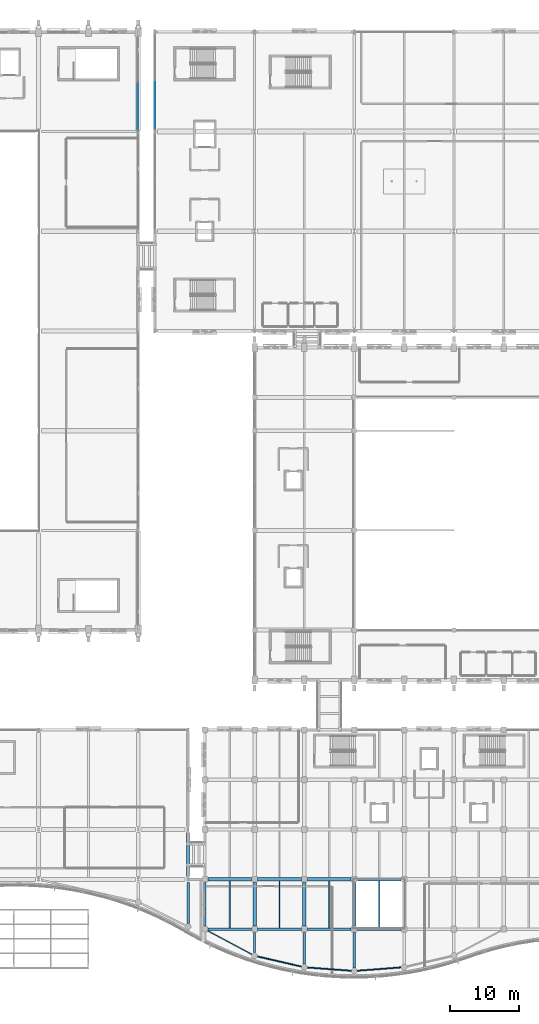
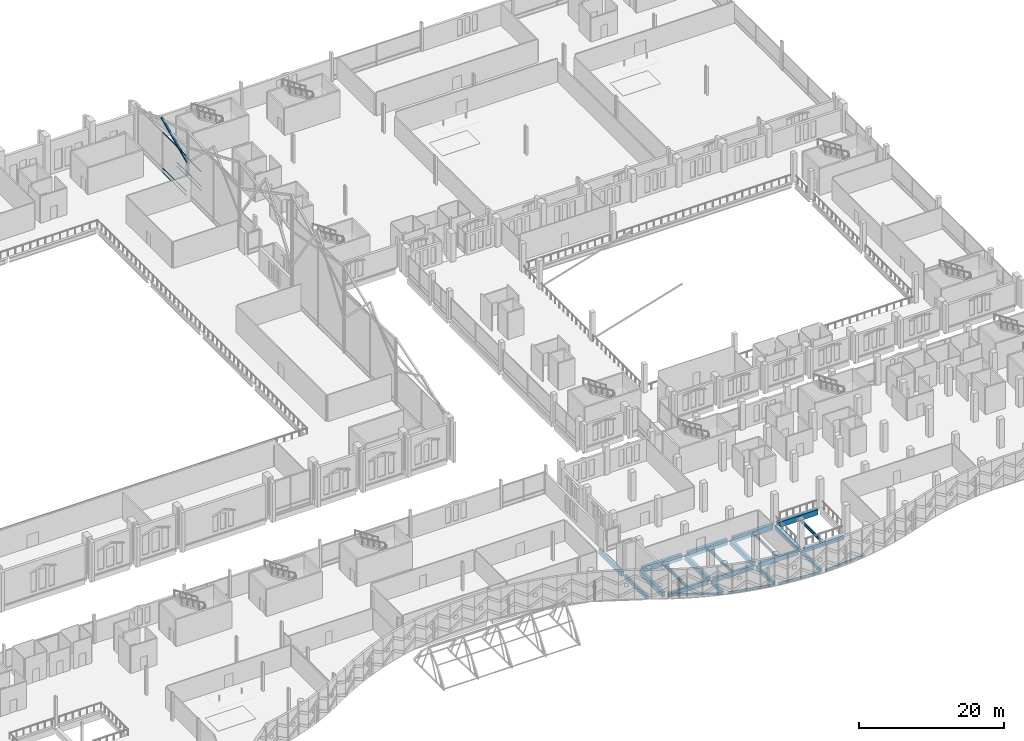
# One storey, part 81 of 220: 25 beams, 7 members, 2 elements without a shape of their own.
"""IFC4 building model written with IfcOpenShell, lengths in metres."""

from ifc_helpers import new_model, si_unit, direction, frame, origin, origin_2d, place, context, subcontext, project, spatial, rectangle, hollow_rectangle, i_section, extrude, material, material_profile, profile_set, type_object, element, aggregate, save


model = new_model("IFC4")

# Units and contexts
model_context = context("Model", 3, precision=1e-05, world=origin(), true_north=direction((0.0, 1.0)))
body_context = subcontext(model_context, "Body", "Model", "MODEL_VIEW")
ifc_project = project(units=[si_unit("LENGTHUNIT", "METRE"), si_unit("AREAUNIT", "SQUARE_METRE"), si_unit("VOLUMEUNIT", "CUBIC_METRE"), si_unit("PLANEANGLEUNIT", "RADIAN"), si_unit("MASSUNIT", "GRAM", prefix="KILO")], contexts=[model_context])

# Site, building, storey
site_placement = place(None, origin())
site = spatial("IfcSite", under=ifc_project, at=site_placement, CompositionType="ELEMENT")
building_placement = place(site_placement, origin())
building = spatial("IfcBuilding", under=site, at=building_placement, Name="Cendralis Lancet Convention Centre", CompositionType="ELEMENT")
storey_placement = place(building_placement, frame((0.0, 0.0, 5.39990234375)))
storey = spatial("IfcBuildingStorey", under=building, at=storey_placement, Name="L01", CompositionType="ELEMENT", Elevation=5.39990234375)

# Curtain wall, members
ifc_material_1 = material(Name="Anodised bronze architectural aluminium", Category="aluminium")
curtain_wall_type_1 = type_object("IfcCurtainWallType", Name="ARC-CW-BL01", PredefinedType="USERDEFINED", material=ifc_material_1)
curtain_wall_1_placement = place(storey_placement, origin())
curtain_wall_1 = element("IfcCurtainWall", 1, at=curtain_wall_1_placement, inside=storey, type_object=curtain_wall_type_1, Name="L01 Curtain Wall CW-BL1 #151", ObjectType="CURTAIN WALL", PredefinedType="USERDEFINED")
ifc_material_profile_1 = material_profile(ifc_material_1, hollow_rectangle(XDim=0.06005859375, YDim=0.1201171875, WallThickness=0.00390625, at=origin_2d()), Name="AL-TRAN 60x120x4.0")
ifc_profile_set_1 = profile_set([ifc_material_profile_1], Name="Anodised bronze architectural aluminium")
member_type_1 = type_object("IfcMemberType", Name="ARC-CW-TR01", PredefinedType="USERDEFINED", material=ifc_profile_set_1)
member_1_placement = place(storey_placement, frame((124.800048828125, 122.794921875, 0.06005859375), z_axis=(0.0, 1.0, 0.0), x_axis=(-1.0, 0.0, 0.0)))
member_1 = element("IfcMember", 2, at=member_1_placement, type_object=member_type_1, Name="Transom CW2-CW-BL1-L01-151-T0BOT", ObjectType="TRANSOM", PredefinedType="USERDEFINED", context=body_context, shape_type="SweptSolid", body=[
    extrude(hollow_rectangle(XDim=0.06005859375, YDim=0.1201171875, WallThickness=0.00390625, at=origin_2d()), origin(), (0.0, 0.0, 1.0), 6.735107421875),
])
member_2_placement = place(storey_placement, frame((124.800048828125, 122.794921875, 0.722900390625), z_axis=(0.0, 1.0, 0.0), x_axis=(-1.0, 0.0, 0.0)))
member_2 = element("IfcMember", 3, at=member_2_placement, type_object=member_type_1, Name="Transom CW2-CW-BL1-L01-151-T0MID", ObjectType="TRANSOM", PredefinedType="USERDEFINED", context=body_context, shape_type="SweptSolid", body=[
    extrude(hollow_rectangle(XDim=0.06005859375, YDim=0.1201171875, WallThickness=0.00390625, at=origin_2d()), origin(), (0.0, 0.0, 1.0), 6.735107421875),
])
member_3_placement = place(storey_placement, frame((124.800048828125, 122.794921875, 3.22509765625), z_axis=(0.0, 1.0, 0.0), x_axis=(-1.0, 0.0, 0.0)))
member_3 = element("IfcMember", 4, at=member_3_placement, type_object=member_type_1, Name="Transom CW2-CW-BL1-L01-151-T0TOP", ObjectType="TRANSOM", PredefinedType="USERDEFINED", context=body_context, shape_type="SweptSolid", body=[
    extrude(hollow_rectangle(XDim=0.06005859375, YDim=0.1201171875, WallThickness=0.00390625, at=origin_2d()), origin(), (0.0, 0.0, 1.0), 6.735107421875),
])
aggregate(curtain_wall_1, [member_1, member_2, member_3])

curtain_wall_type_2 = type_object("IfcCurtainWallType", Name="ARC-CW-GB02", PredefinedType="USERDEFINED", material=ifc_material_1)
curtain_wall_2_placement = place(storey_placement, origin())
curtain_wall_2 = element("IfcCurtainWall", 5, at=curtain_wall_2_placement, inside=storey, type_object=curtain_wall_type_2, Name="L01 Curtain Wall CW-GB2 #109", ObjectType="CURTAIN WALL", PredefinedType="USERDEFINED")
ifc_material_profile_2 = material_profile(ifc_material_1, hollow_rectangle(XDim=0.070068359375, YDim=0.139892578125, WallThickness=0.00390625, at=origin_2d()), Name="AL-TRAN 70x140x4.0")
ifc_profile_set_2 = profile_set([ifc_material_profile_2], Name="Anodised bronze architectural aluminium")
member_type_2 = type_object("IfcMemberType", Name="ARC-CW-TR02", PredefinedType="USERDEFINED", material=ifc_profile_set_2)
member_4_placement = place(storey_placement, frame((122.39990234375, 129.2587890625, 0.070068359375), z_axis=(0.0, -1.0, 0.0), x_axis=(1.0, 0.0, 0.0)))
member_4 = element("IfcMember", 6, at=member_4_placement, type_object=member_type_2, Name="Transom CW2-CW-GB2-L01-109-T1BOT", ObjectType="TRANSOM", PredefinedType="USERDEFINED", context=body_context, shape_type="SweptSolid", body=[
    extrude(hollow_rectangle(XDim=0.070068359375, YDim=0.139892578125, WallThickness=0.00390625, at=origin_2d()), origin(), (0.0, 0.0, 1.0), 6.551025390625),
])
member_5_placement = place(storey_placement, frame((122.39990234375, 129.2587890625, 0.75), z_axis=(0.0, -1.0, 0.0), x_axis=(1.0, 0.0, 0.0)))
member_5 = element("IfcMember", 7, at=member_5_placement, type_object=member_type_2, Name="Transom CW2-CW-GB2-L01-109-T1MID", ObjectType="TRANSOM", PredefinedType="USERDEFINED", context=body_context, shape_type="SweptSolid", body=[
    extrude(hollow_rectangle(XDim=0.070068359375, YDim=0.139892578125, WallThickness=0.00390625, at=origin_2d()), origin(), (0.0, 0.0, 1.0), 6.551025390625),
])
member_6_placement = place(storey_placement, frame((122.39990234375, 129.2587890625, 6.780029296875), z_axis=(0.0, -1.0, 0.0), x_axis=(1.0, 0.0, 0.0)))
member_6 = element("IfcMember", 8, at=member_6_placement, type_object=member_type_2, Name="Transom CW2-CW-GB2-L01-109-T1TOP", ObjectType="TRANSOM", PredefinedType="USERDEFINED", context=body_context, shape_type="SweptSolid", body=[
    extrude(hollow_rectangle(XDim=0.070068359375, YDim=0.139892578125, WallThickness=0.00390625, at=origin_2d()), origin(), (0.0, 0.0, 1.0), 6.551025390625),
])
aggregate(curtain_wall_2, [member_4, member_5, member_6])

# Beams
ifc_material_2 = material(Name="Concrete G35 (C35/45)", Category="concrete")
ifc_material_profile_3 = material_profile(ifc_material_2, rectangle(XDim=0.5, YDim=0.89990234375, at=origin_2d()), Name="RCB 500x900")
ifc_profile_set_3 = profile_set([ifc_material_profile_3], Name="Concrete G35 (C35/45)")
beam_type_1 = type_object("IfcBeamType", Name="STR-BM-BG07", PredefinedType="BEAM", material=ifc_profile_set_3)
for number, where, z_axis, x_axis, name in (
    (9, (132.449951171875, 14.39990234375, -0.72998046875), (1.0, 0.0, 0.0), (0.0, 1.0, 0.0), "L01 Beam BG07 #0137"),
    (10, (139.64990234375, 14.39990234375, -0.72998046875), (1.0, 0.0, 0.0), (0.0, 1.0, 0.0), "L01 Beam BG07 #0138"),
):
    element("IfcBeam", number, at=place(storey_placement, frame(where, z_axis=z_axis, x_axis=x_axis)), inside=storey, type_object=beam_type_1, Name=name, PredefinedType="BEAM", context=body_context, shape_type="SweptSolid", body=[
        extrude(rectangle(XDim=0.5, YDim=0.89990234375, at=origin_2d()), origin(), (0.0, 0.0, 1.0), 6.300048828125),
    ])
beam_1_placement = place(storey_placement, frame((146.85009765625, 14.39990234375, -0.72998046875), z_axis=(1.0, 0.0, 0.0), x_axis=(0.0, 1.0, 0.0)))
element("IfcBeam", 11, at=beam_1_placement, inside=storey, type_object=beam_type_1, Name="L01 Beam BG07 #0139", PredefinedType="BEAM", context=body_context, shape_type="SweptSolid", body=[
    extrude(rectangle(XDim=0.5, YDim=0.89990234375, at=origin_2d()), origin(), (0.0, 0.0, 1.0), 6.2998046875),
])
beam_2_placement = place(storey_placement, frame((154.050048828125, 14.39990234375, -0.72998046875), z_axis=(1.0, 0.0, 0.0), x_axis=(0.0, 1.0, 0.0)))
element("IfcBeam", 12, at=beam_2_placement, inside=storey, type_object=beam_type_1, Name="L01 Beam BG07 #0140", PredefinedType="BEAM", context=body_context, shape_type="SweptSolid", body=[
    extrude(rectangle(XDim=0.5, YDim=0.89990234375, at=origin_2d()), origin(), (0.0, 0.0, 1.0), 6.300048828125),
])
ifc_material_profile_4 = material_profile(ifc_material_2, rectangle(XDim=0.5, YDim=0.800048828125, at=origin_2d()), Name="RCB 500x800")
ifc_profile_set_4 = profile_set([ifc_material_profile_4], Name="Concrete G35 (C35/45)")
beam_type_2 = type_object("IfcBeamType", Name="STR-BM-BG09", PredefinedType="BEAM", material=ifc_profile_set_4)
for number, where, z_axis, x_axis, name in (
    (13, (139.199951171875, 7.64990234375, -0.679931640625), (0.0, 1.0, 0.0), (-1.0, 0.0, 0.0), "L01 Beam BG09 #0181"),
    (14, (146.39990234375, 7.64990234375, -0.679931640625), (0.0, 1.0, 0.0), (-1.0, 0.0, 0.0), "L01 Beam BG09 #0185"),
    (15, (153.60009765625, 7.64990234375, -0.679931640625), (0.0, 1.0, 0.0), (-1.0, 0.0, 0.0), "L01 Beam BG09 #0189"),
):
    element("IfcBeam", number, at=place(storey_placement, frame(where, z_axis=z_axis, x_axis=x_axis)), inside=storey, type_object=beam_type_2, Name=name, PredefinedType="BEAM", context=body_context, shape_type="SweptSolid", body=[
        extrude(rectangle(XDim=0.5, YDim=0.800048828125, at=origin_2d()), origin(), (0.0, 0.0, 1.0), 6.300048828125),
    ])
ifc_material_profile_5 = material_profile(ifc_material_2, rectangle(XDim=0.35009765625, YDim=0.60009765625, at=origin_2d()), Name="RCB 350x600")
ifc_profile_set_5 = profile_set([ifc_material_profile_5], Name="Concrete G35 (C35/45)")
beam_type_3 = type_object("IfcBeamType", Name="STR-BM-BG16", PredefinedType="BEAM", material=ifc_profile_set_5)
beam_3_placement = place(storey_placement, frame((129.60009765625, 8.022705078125, -0.579833984375), z_axis=(0.0, 1.0, 0.0), x_axis=(-1.0, 0.0, 0.0)))
element("IfcBeam", 16, at=beam_3_placement, inside=storey, type_object=beam_type_3, Name="L01 Beam BG16 #1052", PredefinedType="BEAM", context=body_context, shape_type="SweptSolid", body=[
    extrude(rectangle(XDim=0.35009765625, YDim=0.60009765625, at=origin_2d()), origin(), (0.0, 0.0, 1.0), 5.952392578125),
])
beam_4_placement = place(storey_placement, frame((139.199951171875, 3.815673828125, -0.579833984375), z_axis=(0.0, 1.0, 0.0), x_axis=(-1.0, 0.0, 0.0)))
element("IfcBeam", 17, at=beam_4_placement, inside=storey, type_object=beam_type_3, Name="L01 Beam BG16 #1053", PredefinedType="BEAM", context=body_context, shape_type="SweptSolid", body=[
    extrude(rectangle(XDim=0.35009765625, YDim=0.60009765625, at=origin_2d()), origin(), (0.0, 0.0, 1.0), 2.934326171875),
])
beam_5_placement = place(storey_placement, frame((146.39990234375, 2.15576171875, -0.579833984375), z_axis=(0.0, 1.0, 0.0), x_axis=(-1.0, 0.0, 0.0)))
element("IfcBeam", 18, at=beam_5_placement, inside=storey, type_object=beam_type_3, Name="L01 Beam BG16 #1054", PredefinedType="BEAM", context=body_context, shape_type="SweptSolid", body=[
    extrude(rectangle(XDim=0.35009765625, YDim=0.60009765625, at=origin_2d()), origin(), (0.0, 0.0, 1.0), 4.59423828125),
])
beam_6_placement = place(storey_placement, frame((153.60009765625, 1.6201171875, -0.579833984375), z_axis=(0.0, 1.0, 0.0), x_axis=(-1.0, 0.0, 0.0)))
element("IfcBeam", 19, at=beam_6_placement, inside=storey, type_object=beam_type_3, Name="L01 Beam BG16 #1055", PredefinedType="BEAM", context=body_context, shape_type="SweptSolid", body=[
    extrude(rectangle(XDim=0.35009765625, YDim=0.60009765625, at=origin_2d()), origin(), (0.0, 0.0, 1.0), 5.1298828125),
])

# Member
ifc_material_3 = material(Name="Steel S355", Category="steel")
ifc_material_profile_6 = material_profile(ifc_material_3, hollow_rectangle(XDim=0.25, YDim=0.25, WallThickness=0.012451171875, at=origin_2d()), Name="SHS 250x250x12.5")
ifc_profile_set_6 = profile_set([ifc_material_profile_6], Name="Steel S355")
member_type_3 = type_object("IfcMemberType", Name="STR-BR-GB01", PredefinedType="BRACE", material=ifc_profile_set_6)
member_7_placement = place(storey_placement, frame((122.39990234375, 122.39990234375, 5.800048828125), z_axis=(0.0, 0.909358515773, 0.416013328862), x_axis=(-1.0, 0.0, 0.0)))
element("IfcMember", 20, at=member_7_placement, inside=storey, type_object=member_type_3, Name="Exhibition Gable Gothic Ogival Tracery Rib GBR1 #056", PredefinedType="BRACE", context=body_context, shape_type="SweptSolid", body=[
    extrude(hollow_rectangle(XDim=0.25, YDim=0.25, WallThickness=0.012451171875, at=origin_2d()), origin(), (0.0, 0.0, 1.0), 7.91796875),
])

# Beams
ifc_material_profile_7 = material_profile(ifc_material_3, i_section(OverallWidth=0.199951171875, OverallDepth=0.5, WebThickness=0.01025390625, FlangeThickness=0.01611328125, FilletRadius=0.02099609375, at=origin_2d()), Name="IPE 500")
ifc_profile_set_7 = profile_set([ifc_material_profile_7], Name="Steel S355")
beam_type_4 = type_object("IfcBeamType", Name="STR-JS-BJ06", PredefinedType="JOIST", material=ifc_profile_set_7)
for number, where, z_axis, x_axis, name in (
    (21, (135.60009765625, 7.375, -0.52978515625), (0.0, 1.0, 0.0), (-1.0, 0.0, 0.0), "L01 Beam BJ06 #0219"),
    (22, (142.800048828125, 7.375, -0.52978515625), (0.0, 1.0, 0.0), (-1.0, 0.0, 0.0), "L01 Beam BJ06 #0223"),
    (23, (150.0, 7.375, -0.52978515625), (0.0, 1.0, 0.0), (-1.0, 0.0, 0.0), "L01 Beam BJ06 #0227"),
    (24, (157.199951171875, 7.375, -0.52978515625), (0.0, 1.0, 0.0), (-1.0, 0.0, 0.0), "L01 Beam BJ06 #0230"),
):
    element("IfcBeam", number, at=place(storey_placement, frame(where, z_axis=z_axis, x_axis=x_axis)), inside=storey, type_object=beam_type_4, Name=name, PredefinedType="JOIST", context=body_context, shape_type="SweptSolid", body=[
        extrude(i_section(OverallWidth=0.199951171875, OverallDepth=0.5, WebThickness=0.01025390625, FlangeThickness=0.01611328125, FilletRadius=0.02099609375, at=origin_2d()), origin(), (0.0, 0.0, 1.0), 6.77490234375),
    ])
ifc_material_4 = material(Name="Concrete G40 (C40/50)", Category="concrete")
ifc_material_profile_8 = material_profile(ifc_material_4, rectangle(XDim=0.35009765625, YDim=0.75, at=origin_2d()), Name="RCB 350x750")
ifc_profile_set_8 = profile_set([ifc_material_profile_8], Name="Concrete G40 (C40/50)")
beam_type_5 = type_object("IfcBeamType", Name="STR-SP-SP01", PredefinedType="SPANDREL", material=ifc_profile_set_8)
for number, where, z_axis, x_axis, name in (
    (25, (132.449951171875, 7.199951171875, -0.65478515625), (1.0, 0.0, 0.0), (0.0, 1.0, 0.0), "L01 Beam SP01 #0127"),
    (26, (139.64990234375, 7.199951171875, -0.65478515625), (1.0, 0.0, 0.0), (0.0, 1.0, 0.0), "L01 Beam SP01 #0128"),
):
    element("IfcBeam", number, at=place(storey_placement, frame(where, z_axis=z_axis, x_axis=x_axis)), inside=storey, type_object=beam_type_5, Name=name, PredefinedType="SPANDREL", context=body_context, shape_type="SweptSolid", body=[
        extrude(rectangle(XDim=0.35009765625, YDim=0.75, at=origin_2d()), origin(), (0.0, 0.0, 1.0), 6.300048828125),
    ])
beam_7_placement = place(storey_placement, frame((146.85009765625, 7.199951171875, -0.65478515625), z_axis=(1.0, 0.0, 0.0), x_axis=(0.0, 1.0, 0.0)))
element("IfcBeam", 27, at=beam_7_placement, inside=storey, type_object=beam_type_5, Name="L01 Beam SP01 #0129", PredefinedType="SPANDREL", context=body_context, shape_type="SweptSolid", body=[
    extrude(rectangle(XDim=0.35009765625, YDim=0.75, at=origin_2d()), origin(), (0.0, 0.0, 1.0), 6.2998046875),
])
beam_8_placement = place(storey_placement, frame((154.050048828125, 7.199951171875, -0.65478515625), z_axis=(1.0, 0.0, 0.0), x_axis=(0.0, 1.0, 0.0)))
element("IfcBeam", 28, at=beam_8_placement, inside=storey, type_object=beam_type_5, Name="L01 Beam SP01 #0130", PredefinedType="SPANDREL", context=body_context, shape_type="SweptSolid", body=[
    extrude(rectangle(XDim=0.35009765625, YDim=0.75, at=origin_2d()), origin(), (0.0, 0.0, 1.0), 6.300048828125),
])
ifc_material_profile_9 = material_profile(ifc_material_4, rectangle(XDim=0.39990234375, YDim=0.85009765625, at=origin_2d()), Name="RCB 400x850")
ifc_profile_set_9 = profile_set([ifc_material_profile_9], Name="Concrete G40 (C40/50)")
beam_type_6 = type_object("IfcBeamType", Name="STR-SP-SP02", PredefinedType="SPANDREL", material=ifc_profile_set_9)
beam_9_placement = place(storey_placement, frame((132.0, 7.64990234375, -0.704833984375), z_axis=(0.0, 1.0, 0.0), x_axis=(-1.0, 0.0, 0.0)))
element("IfcBeam", 29, at=beam_9_placement, inside=storey, type_object=beam_type_6, Name="L01 Beam SP02 #0177", PredefinedType="SPANDREL", context=body_context, shape_type="SweptSolid", body=[
    extrude(rectangle(XDim=0.39990234375, YDim=0.85009765625, at=origin_2d()), origin(), (0.0, 0.0, 1.0), 6.300048828125),
])
beam_10_placement = place(storey_placement, frame((129.60009765625, 14.824951171875, -0.704833984375), z_axis=(0.0, 1.0, 0.0), x_axis=(-1.0, 0.0, 0.0)))
element("IfcBeam", 30, at=beam_10_placement, inside=storey, type_object=beam_type_6, Name="L01 Beam SP02 #0797", PredefinedType="SPANDREL", context=body_context, shape_type="SweptSolid", body=[
    extrude(rectangle(XDim=0.39990234375, YDim=0.85009765625, at=origin_2d()), origin(), (0.0, 0.0, 1.0), 6.35009765625),
])
ifc_material_profile_10 = material_profile(ifc_material_3, hollow_rectangle(XDim=0.14990234375, YDim=0.35009765625, WallThickness=0.012451171875, at=origin_2d()), Name="RHS 350x150x12.5")
ifc_profile_set_10 = profile_set([ifc_material_profile_10], Name="Steel S355")
beam_type_7 = type_object("IfcBeamType", Name="STR-SP-SP04", PredefinedType="SPANDREL", material=ifc_profile_set_10)
beam_11_placement = place(storey_placement, frame((132.397216796875, 6.988525390625, -0.454833984375), z_axis=(0.882633085666, -0.470062587415, 0.0), x_axis=(0.470062587415, 0.882633085666, 0.0)))
element("IfcBeam", 31, at=beam_11_placement, inside=storey, type_object=beam_type_7, Name="L01 Beam SP04 #1067", PredefinedType="SPANDREL", context=body_context, shape_type="SweptSolid", body=[
    extrude(hollow_rectangle(XDim=0.14990234375, YDim=0.35009765625, WallThickness=0.012451171875, at=origin_2d()), origin(), (0.0, 0.0, 1.0), 7.25732421875),
])
beam_12_placement = place(storey_placement, frame((139.638427734375, 3.2646484375, -0.454833984375), z_axis=(0.974438099472, -0.224656160159, 0.0), x_axis=(0.224656160159, 0.974438099472, 0.0)))
element("IfcBeam", 32, at=beam_12_placement, inside=storey, type_object=beam_type_7, Name="L01 Beam SP04 #1068", PredefinedType="SPANDREL", context=body_context, shape_type="SweptSolid", body=[
    extrude(hollow_rectangle(XDim=0.14990234375, YDim=0.35009765625, WallThickness=0.012451171875, at=origin_2d()), origin(), (0.0, 0.0, 1.0), 6.48876953125),
])
beam_13_placement = place(storey_placement, frame((146.848876953125, 1.67236328125, -0.454833984375), z_axis=(0.997242504074, -0.074211778505, 0.0), x_axis=(0.074211778505, 0.997242504074, 0.0)))
element("IfcBeam", 33, at=beam_13_placement, inside=storey, type_object=beam_type_7, Name="L01 Beam SP04 #1069", PredefinedType="SPANDREL", context=body_context, shape_type="SweptSolid", body=[
    extrude(hollow_rectangle(XDim=0.14990234375, YDim=0.35009765625, WallThickness=0.012451171875, at=origin_2d()), origin(), (0.0, 0.0, 1.0), 6.319580078125),
])
beam_14_placement = place(storey_placement, frame((154.048583984375, 1.204345703125, -0.454833984375), z_axis=(0.997089369579, 0.076241649192, 0.0), x_axis=(-0.076241649192, 0.997089369579, 0.0)))
element("IfcBeam", 34, at=beam_14_placement, inside=storey, type_object=beam_type_7, Name="L01 Beam SP04 #1070", PredefinedType="SPANDREL", context=body_context, shape_type="SweptSolid", body=[
    extrude(hollow_rectangle(XDim=0.14990234375, YDim=0.35009765625, WallThickness=0.012451171875, at=origin_2d()), origin(), (0.0, 0.0, 1.0), 6.321044921875),
])

save(model, "model.ifc")
